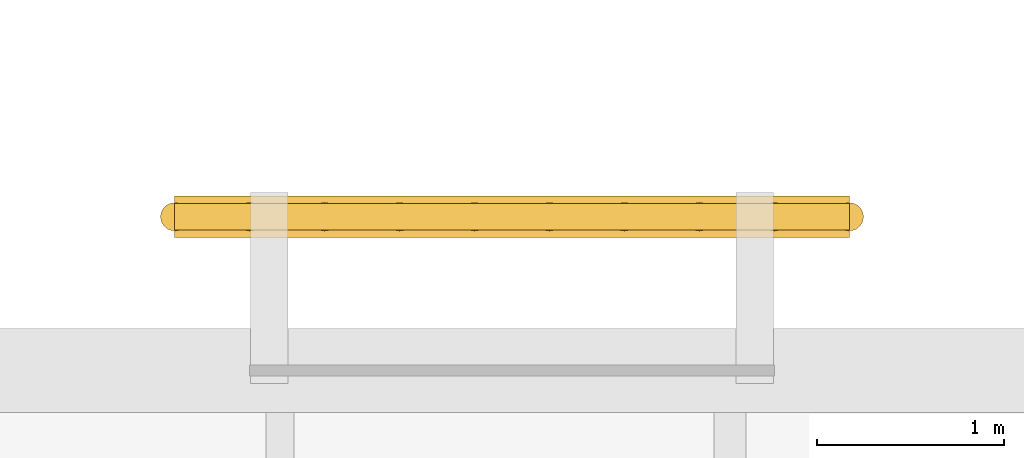
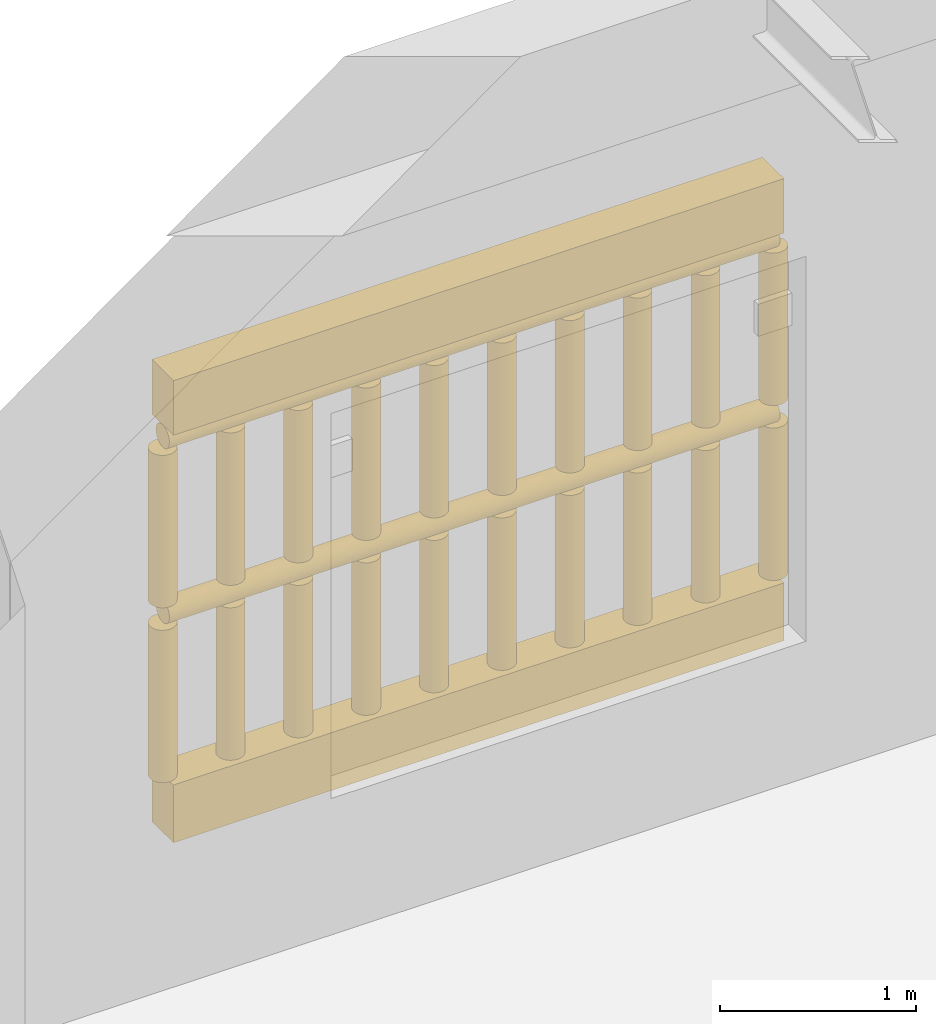
# One storey, part 168 of 169: 2 coverings, 2 railings.
"""IFC4 building model written with IfcOpenShell, lengths in metres."""

from ifc_helpers import new_model, si_unit, direction, frame, origin, origin_2d, place, context, subcontext, project, spatial, polyline, circle, outline, extrude, material, layer, layer_set, type_object, element, save


model = new_model("IFC4")

# Units and contexts
model_context = context("Model", 3, precision=1e-05, world=origin(), true_north=direction((0.0, 1.0)))
body_context = subcontext(model_context, "Body", "Model", "MODEL_VIEW")
ifc_project = project(units=[si_unit("LENGTHUNIT", "METRE"), si_unit("AREAUNIT", "SQUARE_METRE"), si_unit("VOLUMEUNIT", "CUBIC_METRE"), si_unit("PLANEANGLEUNIT", "RADIAN"), si_unit("MASSUNIT", "GRAM", prefix="KILO")], contexts=[model_context])

# Site, building, storey
site_placement = place(None, origin())
site = spatial("IfcSite", under=ifc_project, at=site_placement, CompositionType="ELEMENT")
building_placement = place(site_placement, origin())
building = spatial("IfcBuilding", under=site, at=building_placement, Name="Mazaris Harbour Polytechnic", CompositionType="ELEMENT")
storey_placement = place(building_placement, origin())
storey = spatial("IfcBuildingStorey", under=building, at=storey_placement, Name="L00", CompositionType="ELEMENT", Elevation=0.0)

# Railings
ifc_material_1 = material(Name="Perforated Earth-Coloured Terracotta Block", Category="masonry")
railing_type = type_object("IfcRailingType", Name="Perforated Earth-Block Claustra Lattice 1040", PredefinedType="BALUSTRADE", material=ifc_material_1)
for number, where, name in (
    (1, (145.83740234375, 108.820068359375, 0.52001953125), "V5 L00 Lower Perforated Terracotta Block Screen 359"),
    (2, (145.83740234375, 108.820068359375, 1.610107421875), "V5 L00 Upper Perforated Terracotta Block Screen 359"),
):
    element("IfcRailing", number, at=place(storey_placement, frame(where)), inside=storey, type_object=railing_type, Name=name, PredefinedType="BALUSTRADE", context=body_context, shape_type="SweptSolid", body=[
        extrude(circle(Radius=0.06982421875, at=origin_2d()), frame((0.0, 0.0, 1.02001953125), z_axis=(1.0, 0.0, 0.0), x_axis=(0.0, 1.0, 0.0)), (0.0, 0.0, 1.0), 3.60009765625),
        extrude(circle(Radius=0.074951171875, at=origin_2d()), origin(), (0.0, 0.0, 1.0), 0.9501953125),
        extrude(circle(Radius=0.074951171875, at=origin_2d()), frame((0.39990234375, 0.0, 0.0)), (0.0, 0.0, 1.0), 0.9501953125),
        extrude(circle(Radius=0.074951171875, at=origin_2d()), frame((0.800048828125, 0.0, 0.0)), (0.0, 0.0, 1.0), 0.9501953125),
        extrude(circle(Radius=0.074951171875, at=origin_2d()), frame((1.199951171875, 0.0, 0.0)), (0.0, 0.0, 1.0), 0.9501953125),
        extrude(circle(Radius=0.074951171875, at=origin_2d()), frame((1.60009765625, 0.0, 0.0)), (0.0, 0.0, 1.0), 0.9501953125),
        extrude(circle(Radius=0.074951171875, at=origin_2d()), frame((2.0, 0.0, 0.0)), (0.0, 0.0, 1.0), 0.9501953125),
        extrude(circle(Radius=0.074951171875, at=origin_2d()), frame((2.400146484375, 0.0, 0.0)), (0.0, 0.0, 1.0), 0.9501953125),
        extrude(circle(Radius=0.074951171875, at=origin_2d()), frame((2.800048828125, 0.0, 0.0)), (0.0, 0.0, 1.0), 0.9501953125),
        extrude(circle(Radius=0.074951171875, at=origin_2d()), frame((3.2001953125, 0.0, 0.0)), (0.0, 0.0, 1.0), 0.9501953125),
        extrude(circle(Radius=0.074951171875, at=origin_2d()), frame((3.60009765625, 0.0, 0.0)), (0.0, 0.0, 1.0), 0.9501953125),
    ])

# Coverings
ifc_material_2 = material(Name="Perforated Earth-Coloured Terracotta Block", Category="masonry")
ifc_layer = layer(ifc_material_2, 0.219970703125, Name="Perforated Earth-Coloured Terracotta Block")
ifc_layer_set = layer_set([ifc_layer], Name="Perforated Earth-Coloured Terracotta Block")
covering_type = type_object("IfcCoveringType", Name="Terracotta Screen Course Cladding 220", PredefinedType="CLADDING", material=ifc_layer_set)
covering_1_placement = place(storey_placement, frame((0.0, 0.0, 0.159912109375)))
element("IfcCovering", 3, at=covering_1_placement, inside=storey, type_object=covering_type, Name="V5 L00 Perforated Screen Sill Course 359", PredefinedType="CLADDING", context=body_context, shape_type="SweptSolid", body=[
    extrude(outline(polyline([(145.83740234375, 108.7099609375), (149.4375, 108.7099609375), (149.4375, 108.929931640625), (145.83740234375, 108.929931640625), (145.83740234375, 108.7099609375)])), origin(), (0.0, 0.0, 1.0), 0.360107421875),
])
covering_2_placement = place(storey_placement, frame((0.0, 0.0, 2.699951171875)))
element("IfcCovering", 4, at=covering_2_placement, inside=storey, type_object=covering_type, Name="V5 L00 Perforated Screen Lintel Course 359", PredefinedType="CLADDING", context=body_context, shape_type="SweptSolid", body=[
    extrude(outline(polyline([(145.83740234375, 108.7099609375), (149.4375, 108.7099609375), (149.4375, 108.929931640625), (145.83740234375, 108.929931640625), (145.83740234375, 108.7099609375)])), origin(), (0.0, 0.0, 1.0), 0.340087890625),
])

save(model, "model.ifc")
